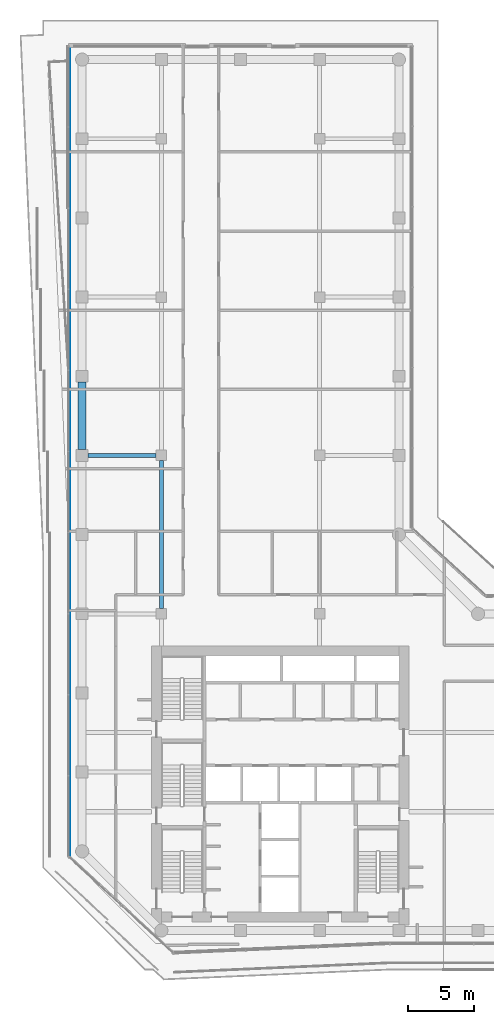
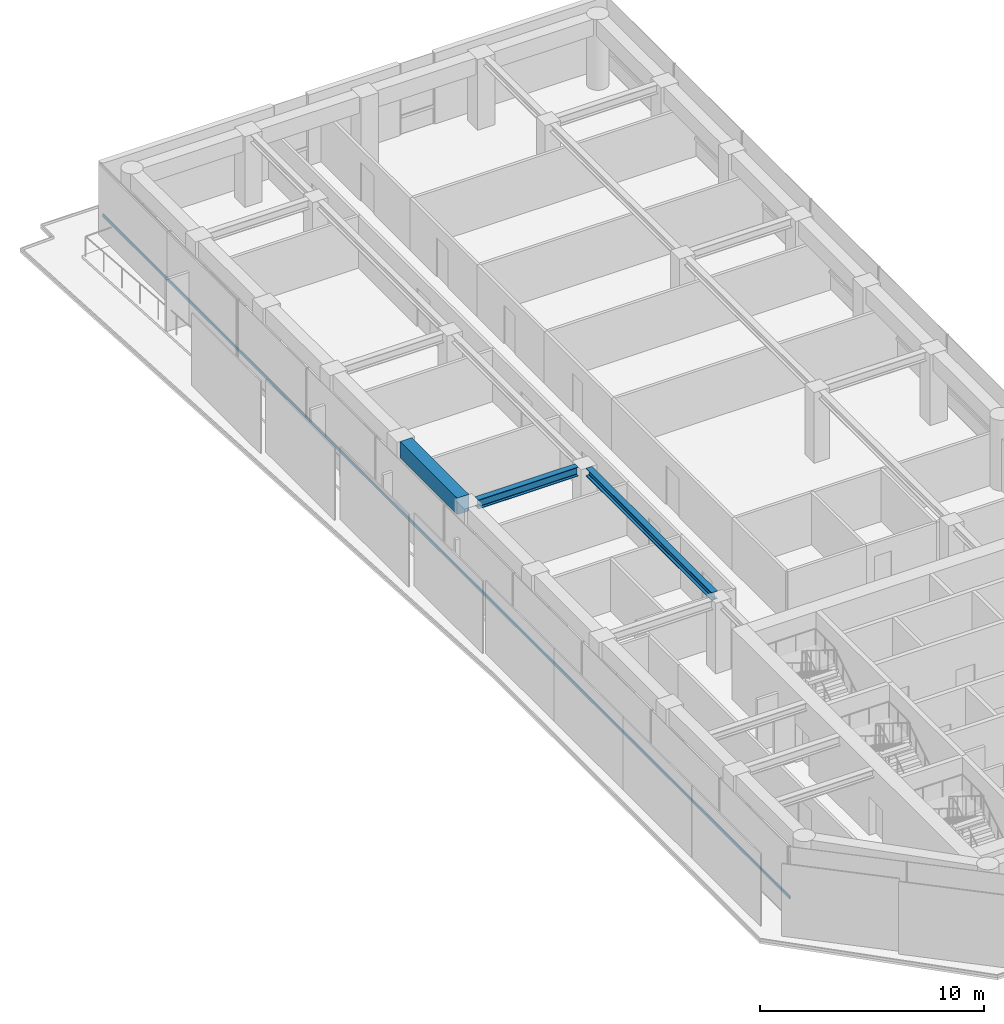
# One storey, part 11 of 24: 3 beams, 1 member, 1 element without a shape of its own.
"""IFC4 building model written with IfcOpenShell, lengths in metres."""

from ifc_helpers import new_model, si_unit, direction, frame, origin, origin_2d, place, context, subcontext, project, spatial, rectangle, i_section, extrude, material, layer, layer_set, material_profile, profile_set, type_object, element, aggregate, save


model = new_model("IFC4")

# Units and contexts
model_context = context("Model", 3, precision=1e-05, world=origin(), true_north=direction((0.0, 1.0)))
body_context = subcontext(model_context, "Body", "Model", "MODEL_VIEW")
ifc_project = project(units=[si_unit("LENGTHUNIT", "METRE"), si_unit("AREAUNIT", "SQUARE_METRE"), si_unit("VOLUMEUNIT", "CUBIC_METRE"), si_unit("PLANEANGLEUNIT", "RADIAN"), si_unit("MASSUNIT", "GRAM", prefix="KILO")], contexts=[model_context])

# Site, building, storey
site_placement = place(None, origin())
site = spatial("IfcSite", under=ifc_project, at=site_placement, CompositionType="ELEMENT")
building_placement = place(site_placement, origin())
building = spatial("IfcBuilding", under=site, at=building_placement, Name="Welwitschia Terrace Campus", CompositionType="ELEMENT")
storey_placement = place(building_placement, frame((0.0, 0.0, 100.39990234375)))
storey = spatial("IfcBuildingStorey", under=building, at=storey_placement, Name="L22", CompositionType="ELEMENT", Elevation=100.39990234375)

# Beams
ifc_material_1 = material(Name="Steel S355", Category="steel")
ifc_material_profile_1 = material_profile(ifc_material_1, i_section(OverallWidth=0.306884765625, OverallDepth=0.431884765625, WebThickness=0.02099609375, FlangeThickness=0.0400390625, FilletRadius=0.027099609375, at=origin_2d()))
ifc_profile_set_1 = profile_set([ifc_material_profile_1], Name="Steel S355")
beam_type_1 = type_object("IfcBeamType", Name="Interior girder HE 400 M", PredefinedType="BEAM", material=ifc_profile_set_1)
beam_1_placement = place(storey_placement, frame((6.0, 28.400390625, 3.634033203125), z_axis=(0.0, 1.0, 0.0), x_axis=(-1.0, 0.0, 0.0)))
element("IfcBeam", 1, at=beam_1_placement, inside=storey, type_object=beam_type_1, Name="Girder GB3", PredefinedType="BEAM", context=body_context, shape_type="SweptSolid", body=[
    extrude(i_section(OverallWidth=0.306884765625, OverallDepth=0.431884765625, WebThickness=0.02099609375, FlangeThickness=0.0400390625, FilletRadius=0.027099609375, at=origin_2d()), origin(), (0.0, 0.0, 1.0), 11.19921875),
])
ifc_material_2 = material(Name="Steel S355", Category="steel")
ifc_material_profile_2 = material_profile(ifc_material_2, i_section(OverallWidth=0.300048828125, OverallDepth=0.5, WebThickness=0.014404296875, FlangeThickness=0.028076171875, FilletRadius=0.027099609375, at=origin_2d()))
ifc_profile_set_2 = profile_set([ifc_material_profile_2], Name="Steel S355")
beam_type_2 = type_object("IfcBeamType", Name="Primary beam HE 500 B", PredefinedType="BEAM", material=ifc_profile_set_2)
beam_2_placement = place(storey_placement, frame((0.450439453125, 40.0, 3.60009765625), z_axis=(1.0, 0.0, 0.0), x_axis=(0.0, 1.0, 0.0)))
element("IfcBeam", 2, at=beam_2_placement, inside=storey, type_object=beam_type_2, Name="Primary beam PB3", PredefinedType="BEAM", context=body_context, shape_type="SweptSolid", body=[
    extrude(i_section(OverallWidth=0.300048828125, OverallDepth=0.5, WebThickness=0.014404296875, FlangeThickness=0.028076171875, FilletRadius=0.027099609375, at=origin_2d()), origin(), (0.0, 0.0, 1.0), 5.149169921875),
])
ifc_material_3 = material(Name="Concrete C60/75", Category="concrete")
ifc_material_profile_3 = material_profile(ifc_material_3, rectangle(XDim=0.60009765625, YDim=0.89990234375, at=origin_2d()))
ifc_profile_set_3 = profile_set([ifc_material_profile_3], Name="Concrete C60/75")
beam_type_3 = type_object("IfcBeamType", Name="Ring spandrel 600x900", PredefinedType="SPANDREL", material=ifc_profile_set_3)
beam_3_placement = place(storey_placement, frame((0.0, 45.549560546875, 3.400146484375), z_axis=(0.0, -1.0, 0.0), x_axis=(1.0, 0.0, 0.0)))
element("IfcBeam", 3, at=beam_3_placement, inside=storey, type_object=beam_type_3, Name="Spandrel SP2", PredefinedType="SPANDREL", context=body_context, shape_type="SweptSolid", body=[
    extrude(rectangle(XDim=0.60009765625, YDim=0.89990234375, at=origin_2d()), origin(), (0.0, 0.0, 1.0), 5.09912109375),
])

# Curtain wall, member
ifc_material_4 = material(Name="Bronze anodised aluminium", Category="aluminium")
ifc_layer = layer(ifc_material_4, 0.1201171875)
ifc_layer_set = layer_set([ifc_layer], Name="Bronze anodised aluminium")
curtain_wall_type = type_object("IfcCurtainWallType", Name="Curtain wall CW2 tower 6000", PredefinedType="NOTDEFINED", material=ifc_layer_set)
curtain_wall_placement = place(storey_placement, origin())
curtain_wall = element("IfcCurtainWall", 4, at=curtain_wall_placement, inside=storey, type_object=curtain_wall_type, Name="CW L22.11.0", PredefinedType="NOTDEFINED")
ifc_material_5 = material(Name="Bronze anodised aluminium", Category="aluminium")
ifc_material_profile_4 = material_profile(ifc_material_5, rectangle(XDim=0.06005859375, YDim=0.14990234375, at=origin_2d()))
ifc_profile_set_4 = profile_set([ifc_material_profile_4], Name="Bronze anodised aluminium")
member_type = type_object("IfcMemberType", Name="Transom 60x150", PredefinedType="USERDEFINED", material=ifc_profile_set_4)
member_placement = place(storey_placement, frame((-0.93994140625, 70.969970703125, 1.0), z_axis=(0.0, -1.0, 0.0), x_axis=(1.0, 0.0, 0.0)))
member = element("IfcMember", 5, at=member_placement, type_object=member_type, Name="Transom L22.11.0", ObjectType="TRANSOM", PredefinedType="USERDEFINED", context=body_context, shape_type="SweptSolid", body=[
    extrude(rectangle(XDim=0.06005859375, YDim=0.14990234375, at=origin_2d()), origin(), (0.0, 0.0, 1.0), 61.336669921875),
])
aggregate(curtain_wall, [member])

save(model, "model.ifc")
